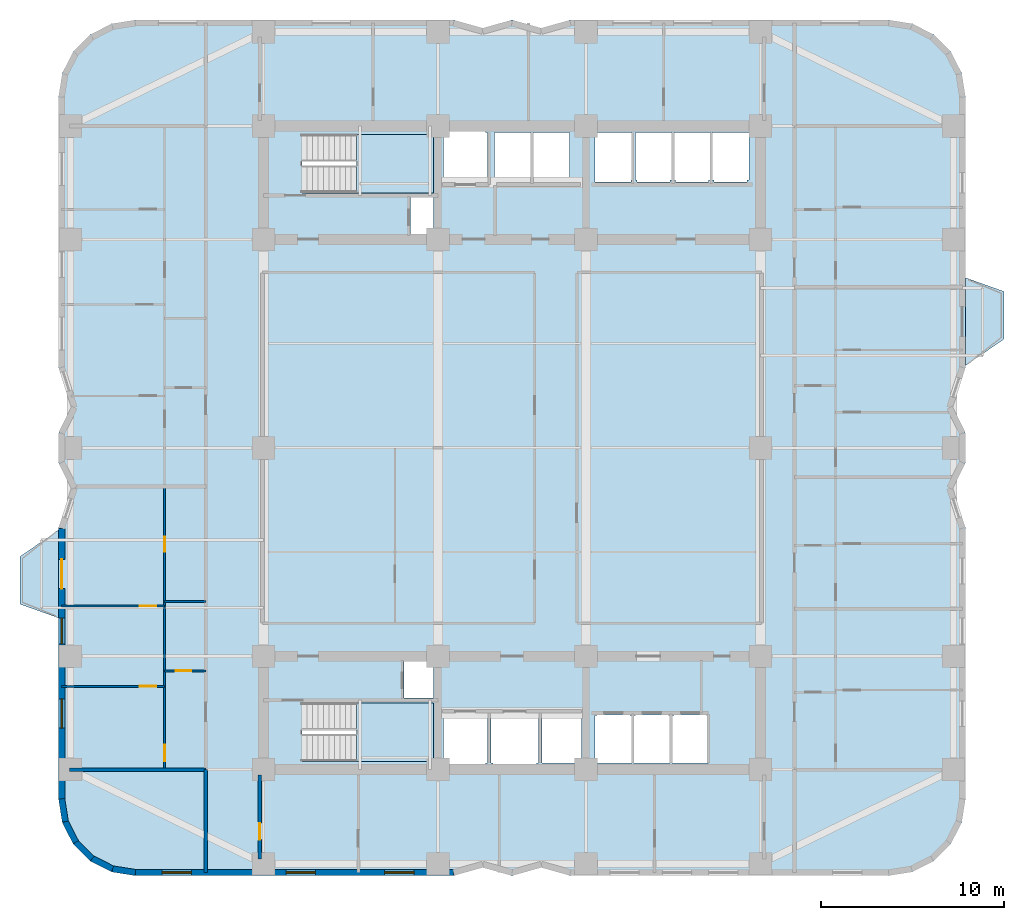
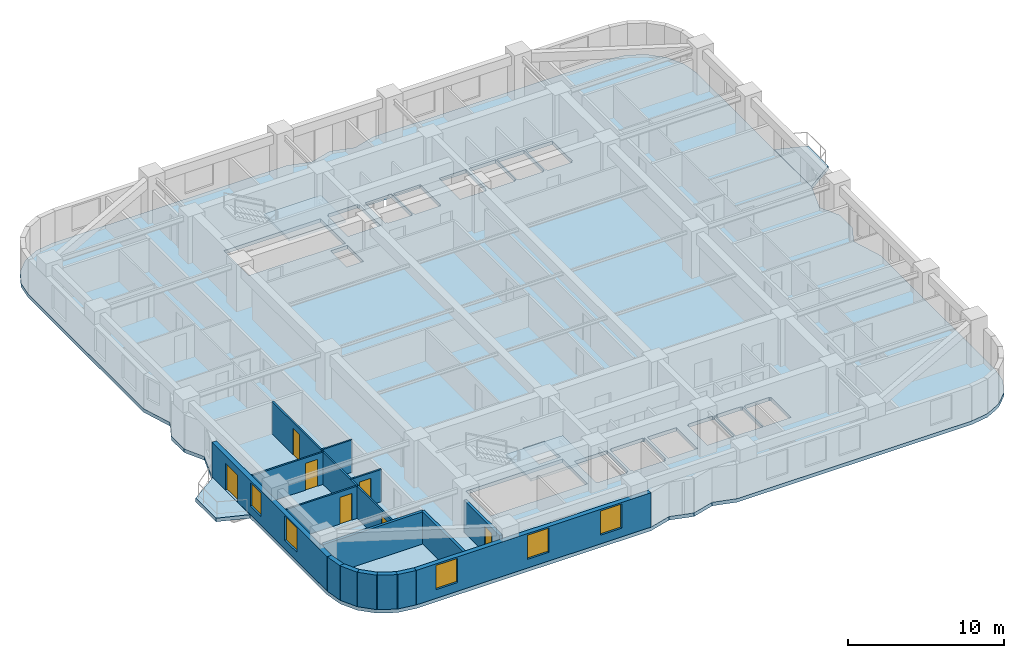
# One storey, part 2 of 9: 15 walls, 7 doors, 5 slabs, 5 windows, 12 openings, 2 elements without a shape of their own.
"""IFC4 building model written with IfcOpenShell, lengths in metres."""

from ifc_helpers import new_model, si_unit, direction, frame, frame_2d, origin, place, context, subcontext, project, spatial, polyline, rectangle, outline, extrude, material, layer, layer_set, type_object, element, fill, aggregate, save


model = new_model("IFC4")

# Units and contexts
model_context = context("Model", 3, precision=1e-05, world=origin(), true_north=direction((0.0, 1.0)))
body_context = subcontext(model_context, "Body", "Model", "MODEL_VIEW")
ifc_project = project(units=[si_unit("LENGTHUNIT", "METRE"), si_unit("AREAUNIT", "SQUARE_METRE"), si_unit("VOLUMEUNIT", "CUBIC_METRE"), si_unit("PLANEANGLEUNIT", "RADIAN"), si_unit("MASSUNIT", "GRAM", prefix="KILO")], contexts=[model_context])

# Site, building, storey
site_placement = place(None, origin())
site = spatial("IfcSite", under=ifc_project, at=site_placement, CompositionType="ELEMENT")
building_placement = place(site_placement, origin())
building = spatial("IfcBuilding", under=site, at=building_placement, Name="Svetorya Sky Lyceum", CompositionType="ELEMENT")
storey_placement = place(building_placement, frame((0.0, 0.0, 65.800048828125)))
storey = spatial("IfcBuildingStorey", under=building, at=storey_placement, Name="L16", CompositionType="ELEMENT", Elevation=65.800048828125)

# Slabs
ifc_material_1 = material(Name="Concrete C40/50", Category="concrete")
ifc_layer_1 = layer(ifc_material_1, 0.280029296875)
ifc_layer_set_1 = layer_set([ifc_layer_1], Name="Concrete C40/50")
slab_type_1 = type_object("IfcSlabType", Name="SL-BAL-280", PredefinedType="FLOOR", material=ifc_layer_set_1)
slab_1_placement = place(storey_placement, frame((0.0, 0.0, -0.280029296875)))
element("IfcSlab", 1, at=slab_1_placement, inside=storey, type_object=slab_type_1, Name="L16 Chamfered Loggia Balcony BAL-W1", PredefinedType="FLOOR", context=body_context, shape_type="SweptSolid", body=[
    extrude(outline(polyline([(14.389892578125, 18.89990234375), (14.389892578125, 23.699951171875), (12.2900390625, 22.25), (12.2900390625, 19.64990234375), (14.389892578125, 18.89990234375)])), origin(), (0.0, 0.0, 1.0), 0.280029296875),
])
slab_2_placement = place(storey_placement, frame((0.0, 0.0, -0.280029296875)))
element("IfcSlab", 2, at=slab_2_placement, inside=storey, type_object=slab_type_1, Name="L16 Chamfered Loggia Balcony BAL-E1", PredefinedType="FLOOR", context=body_context, shape_type="SweptSolid", body=[
    extrude(outline(polyline([(64.010009765625, 32.699951171875), (66.110107421875, 34.14990234375), (66.110107421875, 36.75), (64.010009765625, 37.5), (64.010009765625, 32.699951171875)])), origin(), (0.0, 0.0, 1.0), 0.280029296875),
])

# Stair, slab
stair_type_1 = type_object("IfcStairType", Name="STR-ST-S", PredefinedType="HALF_TURN_STAIR", material=ifc_material_1)
stair_1_placement = place(storey_placement, origin())
stair_1 = element("IfcStair", 3, at=stair_1_placement, inside=storey, type_object=stair_type_1, Name="L16 South Core Smoke-Free Exit Stair N2", PredefinedType="HALF_TURN_STAIR")
ifc_layer_2 = layer(ifc_material_1, 0.199951171875)
ifc_layer_set_2 = layer_set([ifc_layer_2], Name="Concrete C40/50")
slab_type_2 = type_object("IfcSlabType", Name="SL-STR-LAND-200", PredefinedType="LANDING", material=ifc_layer_set_2)
slab_3_placement = place(storey_placement, frame((0.0, 0.0, 1.64990234375)))
slab_3 = element("IfcSlab", 4, at=slab_3_placement, type_object=slab_type_2, Name="ST-S landing 1", PredefinedType="LANDING", context=body_context, shape_type="SweptSolid", body=[
    extrude(outline(polyline([(30.699951171875, 11.050048828125), (34.89990234375, 11.050048828125), (34.89990234375, 14.25), (30.699951171875, 14.25), (30.699951171875, 11.050048828125)])), origin(), (0.0, 0.0, 1.0), 0.199951171875),
])
aggregate(stair_1, [slab_3])

stair_type_2 = type_object("IfcStairType", Name="STR-ST-N", PredefinedType="HALF_TURN_STAIR", material=ifc_material_1)
stair_2_placement = place(storey_placement, origin())
stair_2 = element("IfcStair", 5, at=stair_2_placement, inside=storey, type_object=stair_type_2, Name="L16 North Core Smoke-Free Exit Stair N3", PredefinedType="HALF_TURN_STAIR")
slab_4_placement = place(storey_placement, frame((0.0, 0.0, 1.64990234375)))
slab_4 = element("IfcSlab", 6, at=slab_4_placement, type_object=slab_type_2, Name="ST-N landing 1", PredefinedType="LANDING", context=body_context, shape_type="SweptSolid", body=[
    extrude(outline(polyline([(30.699951171875, 42.14990234375), (34.89990234375, 42.14990234375), (34.89990234375, 45.35009765625), (30.699951171875, 45.35009765625), (30.699951171875, 42.14990234375)])), origin(), (0.0, 0.0, 1.0), 0.199951171875),
])
aggregate(stair_2, [slab_4])

# Slab
ifc_material_2 = material(Name="Concrete C50/60", Category="concrete")
ifc_layer_3 = layer(ifc_material_2, 0.280029296875)
ifc_layer_set_3 = layer_set([ifc_layer_3], Name="Concrete C50/60")
slab_type_3 = type_object("IfcSlabType", Name="SL-TWR-280", PredefinedType="FLOOR", material=ifc_layer_set_3)
slab_5_placement = place(storey_placement, frame((0.0, 0.0, -0.280029296875)))
element("IfcSlab", 7, at=slab_5_placement, inside=storey, type_object=slab_type_3, Name="L16 Structural Floor Slab", PredefinedType="FLOOR", context=body_context, shape_type="SweptSolid", body=[
    extrude(outline(polyline([(14.39990234375, 9.0), (14.605712890625, 7.7021484375), (15.2021484375, 6.53125), (16.13134765625, 5.60205078125), (17.302001953125, 5.005615234375), (18.60009765625, 4.800048828125), (36.0, 4.800048828125), (37.60009765625, 5.25), (39.199951171875, 4.800048828125), (40.800048828125, 5.25), (42.39990234375, 4.800048828125), (59.800048828125, 4.800048828125), (61.097900390625, 5.005615234375), (62.268798828125, 5.60205078125), (63.197998046875, 6.53125), (63.79443359375, 7.7021484375), (64.0, 9.0), (64.0, 23.800048828125), (63.300048828125, 26.0), (64.0, 27.39990234375), (64.0, 29.0), (63.300048828125, 30.39990234375), (64.0, 32.60009765625), (64.0, 47.39990234375), (63.79443359375, 48.697998046875), (63.197998046875, 49.86865234375), (62.268798828125, 50.7978515625), (61.097900390625, 51.394287109375), (59.800048828125, 51.60009765625), (42.39990234375, 51.60009765625), (40.800048828125, 51.14990234375), (39.199951171875, 51.60009765625), (37.60009765625, 51.14990234375), (36.0, 51.60009765625), (18.60009765625, 51.60009765625), (17.302001953125, 51.394287109375), (16.13134765625, 50.7978515625), (15.2021484375, 49.86865234375), (14.605712890625, 48.697998046875), (14.39990234375, 47.39990234375), (14.39990234375, 32.60009765625), (15.10009765625, 30.39990234375), (14.39990234375, 29.0), (14.39990234375, 27.39990234375), (15.10009765625, 26.0), (14.39990234375, 23.800048828125), (14.39990234375, 9.0)]), holes=[polyline([(35.550048828125, 13.64990234375), (37.75, 13.64990234375), (37.85009765625, 13.64990234375), (37.85009765625, 10.949951171875), (37.75, 10.949951171875), (37.75, 10.85009765625), (35.550048828125, 10.85009765625), (35.550048828125, 10.949951171875), (35.449951171875, 10.949951171875), (35.449951171875, 13.64990234375), (35.550048828125, 13.64990234375)]), polyline([(40.64990234375, 10.949951171875), (40.550048828125, 10.949951171875), (40.550048828125, 10.800048828125), (38.14990234375, 10.800048828125), (38.14990234375, 10.949951171875), (38.050048828125, 10.949951171875), (38.050048828125, 13.64990234375), (38.14990234375, 13.64990234375), (38.14990234375, 13.699951171875), (40.550048828125, 13.699951171875), (40.550048828125, 13.64990234375), (40.64990234375, 13.64990234375), (40.64990234375, 10.949951171875)]), polyline([(40.85009765625, 13.64990234375), (43.0, 13.64990234375), (43.0, 10.949951171875), (40.85009765625, 10.949951171875), (40.85009765625, 13.64990234375)]), polyline([(27.719970703125, 14.25), (34.89990234375, 14.25), (34.89990234375, 11.050048828125), (27.719970703125, 11.050048828125), (27.719970703125, 14.25)]), polyline([(33.300048828125, 16.580078125), (34.89990234375, 16.580078125), (34.89990234375, 14.52001953125), (33.300048828125, 14.52001953125), (33.300048828125, 16.580078125)]), polyline([(33.64990234375, 39.820068359375), (33.64990234375, 41.89990234375), (34.89990234375, 41.89990234375), (34.89990234375, 39.820068359375), (33.64990234375, 39.820068359375)]), polyline([(27.719970703125, 45.35009765625), (34.89990234375, 45.35009765625), (34.89990234375, 42.14990234375), (27.719970703125, 42.14990234375), (27.719970703125, 45.35009765625)]), polyline([(35.550048828125, 42.75), (35.449951171875, 42.75), (35.449951171875, 45.449951171875), (35.550048828125, 45.449951171875), (35.550048828125, 45.550048828125), (37.75, 45.550048828125), (37.75, 45.449951171875), (37.85009765625, 45.449951171875), (37.85009765625, 42.75), (37.75, 42.75), (35.550048828125, 42.75)]), polyline([(40.199951171875, 42.85009765625), (40.199951171875, 42.75), (38.39990234375, 42.75), (38.39990234375, 42.85009765625), (38.25, 42.85009765625), (38.25, 45.449951171875), (38.39990234375, 45.449951171875), (40.199951171875, 45.449951171875), (40.25, 45.449951171875), (40.25, 42.85009765625), (40.199951171875, 42.85009765625)]), polyline([(40.39990234375, 42.85009765625), (40.35009765625, 42.85009765625), (40.35009765625, 45.449951171875), (40.39990234375, 45.449951171875), (42.300048828125, 45.449951171875), (42.35009765625, 45.449951171875), (42.35009765625, 42.85009765625), (42.300048828125, 42.85009765625), (42.300048828125, 42.75), (40.39990234375, 42.75), (40.39990234375, 42.85009765625)]), polyline([(43.85009765625, 10.949951171875), (43.75, 10.949951171875), (43.75, 13.550048828125), (43.85009765625, 13.550048828125), (43.85009765625, 13.60009765625), (45.64990234375, 13.60009765625), (45.64990234375, 13.550048828125), (45.75, 13.550048828125), (45.75, 10.949951171875), (45.64990234375, 10.949951171875), (43.85009765625, 10.949951171875)]), polyline([(45.949951171875, 10.949951171875), (45.85009765625, 10.949951171875), (45.85009765625, 13.550048828125), (45.949951171875, 13.550048828125), (45.949951171875, 13.60009765625), (47.75, 13.60009765625), (47.75, 13.550048828125), (47.85009765625, 13.550048828125), (47.85009765625, 10.949951171875), (47.75, 10.949951171875), (45.949951171875, 10.949951171875)]), polyline([(49.85009765625, 13.550048828125), (49.949951171875, 13.550048828125), (49.949951171875, 10.949951171875), (49.85009765625, 10.949951171875), (48.050048828125, 10.949951171875), (47.949951171875, 10.949951171875), (47.949951171875, 13.550048828125), (48.050048828125, 13.550048828125), (48.050048828125, 13.60009765625), (49.85009765625, 13.60009765625), (49.85009765625, 13.550048828125)]), polyline([(43.75, 42.85009765625), (43.75, 45.449951171875), (45.699951171875, 45.449951171875), (45.75, 45.449951171875), (45.75, 42.85009765625), (45.699951171875, 42.85009765625), (45.699951171875, 42.75), (43.75, 42.75), (43.75, 42.85009765625)]), polyline([(46.050048828125, 42.85009765625), (45.949951171875, 42.85009765625), (45.949951171875, 45.449951171875), (46.050048828125, 45.449951171875), (47.85009765625, 45.449951171875), (47.949951171875, 45.449951171875), (47.949951171875, 42.85009765625), (47.85009765625, 42.85009765625), (47.85009765625, 42.75), (46.050048828125, 42.75), (46.050048828125, 42.85009765625)]), polyline([(48.14990234375, 42.85009765625), (48.050048828125, 42.85009765625), (48.050048828125, 45.449951171875), (48.14990234375, 45.449951171875), (49.949951171875, 45.449951171875), (50.050048828125, 45.449951171875), (50.050048828125, 42.85009765625), (49.949951171875, 42.85009765625), (49.949951171875, 42.75), (48.14990234375, 42.75), (48.14990234375, 42.85009765625)]), polyline([(50.25, 42.85009765625), (50.14990234375, 42.85009765625), (50.14990234375, 45.449951171875), (50.25, 45.449951171875), (52.050048828125, 45.449951171875), (52.14990234375, 45.449951171875), (52.14990234375, 42.85009765625), (52.050048828125, 42.85009765625), (52.050048828125, 42.75), (50.25, 42.75), (50.25, 42.85009765625)])]), origin(), (0.0, 0.0, 1.0), 0.280029296875),
])

# Walls
ifc_material_3 = material(Name="Putilovo limestone rainscreen on autoclaved cellular masonry", Category="masonry")
ifc_layer_4 = layer(ifc_material_3, 0.340087890625)
ifc_layer_set_4 = layer_set([ifc_layer_4], Name="Putilovo limestone rainscreen on autoclaved cellular masonry")
wall_type_1 = type_object("IfcWallType", Name="WL-EXT-340", PredefinedType="SOLIDWALL", material=ifc_layer_set_4)
wall_1_placement = place(storey_placement, frame((14.570068359375, 9.0, 0.0), z_axis=(0.0, 0.0, 1.0), x_axis=(0.156260864002, -0.98771582066, 0.0)))
element("IfcWall", 8, at=wall_1_placement, inside=storey, type_object=wall_type_1, Name="L16 Limestone Exterior Wall 1M", PredefinedType="SOLIDWALL", context=body_context, shape_type="SweptSolid", body=[
    extrude(rectangle(XDim=1.2607421875, YDim=0.340087890625, at=frame_2d((0.63037109375, 0.0))), origin(), (0.0, 0.0, 1.0), 2.699951171875),
])
wall_2_placement = place(storey_placement, frame((14.76708984375, 7.754638671875, 0.0), z_axis=(0.0, 0.0, 1.0), x_axis=(0.454015689056, -0.890993689142, 0.0)))
element("IfcWall", 9, at=wall_2_placement, inside=storey, type_object=wall_type_1, Name="L16 Limestone Exterior Wall 2M", PredefinedType="SOLIDWALL", context=body_context, shape_type="SweptSolid", body=[
    extrude(rectangle(XDim=1.260986328125, YDim=0.340087890625, at=frame_2d((0.63037109375, 0.0))), origin(), (0.0, 0.0, 1.0), 2.699951171875),
])
wall_3_placement = place(storey_placement, frame((15.339599609375, 6.631103515625, 0.0), z_axis=(0.0, 0.0, 1.0), x_axis=(0.707203598708, -0.707009950407, 0.0)))
element("IfcWall", 10, at=wall_3_placement, inside=storey, type_object=wall_type_1, Name="L16 Limestone Exterior Wall 3M", PredefinedType="SOLIDWALL", context=body_context, shape_type="SweptSolid", body=[
    extrude(rectangle(XDim=1.2607421875, YDim=0.340087890625, at=frame_2d((0.63037109375, 0.0))), origin(), (0.0, 0.0, 1.0), 2.699951171875),
])
for number, where, z_axis, x_axis, name in (
    (11, (16.231201171875, 5.73974609375, 0.0), (0.0, 0.0, 1.0), (0.890993689142, -0.454015689056, 0.0), "L16 Limestone Exterior Wall 4M"),
    (12, (17.354736328125, 5.167236328125, 0.0), (0.0, 0.0, 1.0), (0.987685918112, -0.15644975923, 0.0), "L16 Limestone Exterior Wall 5M"),
):
    element("IfcWall", number, at=place(storey_placement, frame(where, z_axis=z_axis, x_axis=x_axis)), inside=storey, type_object=wall_type_1, Name=name, PredefinedType="SOLIDWALL", context=body_context, shape_type="SweptSolid", body=[
        extrude(rectangle(XDim=1.260986328125, YDim=0.340087890625, at=frame_2d((0.63037109375, 0.0))), origin(), (0.0, 0.0, 1.0), 2.699951171875),
    ])

# Wall, openings, windows
wall_4_placement = place(storey_placement, frame((18.60009765625, 4.969970703125, 0.0), z_axis=(0.0, 0.0, 1.0), x_axis=(1.0, 0.0, 0.0)))
wall_4 = element("IfcWall", 13, at=wall_4_placement, inside=storey, type_object=wall_type_1, Name="L16 Limestone Exterior Wall 6M", PredefinedType="SOLIDWALL", context=body_context, shape_type="SweptSolid", body=[
    extrude(rectangle(XDim=17.39990234375, YDim=0.340087890625, at=frame_2d((8.699951171875, 0.0))), origin(), (0.0, 0.0, 1.0), 2.699951171875),
])
opening_1_placement = place(wall_4_placement, frame((1.4599609375, 0.0, 0.679931640625)))
opening_1 = element("IfcOpeningElement", 14, at=opening_1_placement, cuts=wall_4, Name="Opening W-R4", PredefinedType="OPENING", context=body_context, shape_type="SweptSolid", body=[
    extrude(rectangle(XDim=1.60009765625, YDim=1.89990234375, at=frame_2d((0.800048828125, 0.949951171875))), frame((0.0, 0.179931640625, 0.0), z_axis=(0.0, -1.0, 0.0), x_axis=(1.0, 0.0, 0.0)), (0.0, 0.0, 1.0), 0.360107421875),
])
opening_2_placement = place(wall_4_placement, frame((8.25, 0.0, 0.679931640625)))
opening_2 = element("IfcOpeningElement", 15, at=opening_2_placement, cuts=wall_4, Name="Opening W-R4", PredefinedType="OPENING", context=body_context, shape_type="SweptSolid", body=[
    extrude(rectangle(XDim=1.60009765625, YDim=1.89990234375, at=frame_2d((0.800048828125, 0.949951171875))), frame((0.0, 0.179931640625, 0.0), z_axis=(0.0, -1.0, 0.0), x_axis=(1.0, 0.0, 0.0)), (0.0, 0.0, 1.0), 0.360107421875),
])
opening_3_placement = place(wall_4_placement, frame((13.639892578125, 0.0, 0.679931640625)))
opening_3 = element("IfcOpeningElement", 16, at=opening_3_placement, cuts=wall_4, Name="Opening W-R4", PredefinedType="OPENING", context=body_context, shape_type="SweptSolid", body=[
    extrude(rectangle(XDim=1.60009765625, YDim=1.89990234375, at=frame_2d((0.800048828125, 0.949951171875))), frame((0.0, 0.179931640625, 0.0), z_axis=(0.0, -1.0, 0.0), x_axis=(1.0, 0.0, 0.0)), (0.0, 0.0, 1.0), 0.360107421875),
])
ifc_material_4 = material(Name="Thermally broken aluminium frame with triple low-E glazing", Category="aluminium")
window_type_1 = type_object("IfcWindowType", Name="WN-RES-160", PartitioningType="DOUBLE_PANEL_VERTICAL", PredefinedType="WINDOW", material=ifc_material_4)
window_1_placement = place(opening_1_placement, origin())
window_1 = element("IfcWindow", 17, at=window_1_placement, inside=storey, type_object=window_type_1, Name="L16 Facade Window W-R4.6M.1", OverallHeight=1.89990234375, OverallWidth=1.60009765625, PartitioningType="SINGLE_PANEL", PredefinedType="WINDOW", context=body_context, shape_type="SweptSolid", body=[
    extrude(rectangle(XDim=1.60009765625, YDim=1.89990234375, at=frame_2d((0.800048828125, 0.949951171875))), frame((0.0, 0.030029296875, 0.0), z_axis=(0.0, -1.0, 0.0), x_axis=(1.0, 0.0, 0.0)), (0.0, 0.0, 1.0), 0.06005859375),
])
fill(opening_1, window_1)
window_2_placement = place(opening_2_placement, origin())
window_2 = element("IfcWindow", 18, at=window_2_placement, inside=storey, type_object=window_type_1, Name="L16 Facade Window W-R4.6M.2", OverallHeight=1.89990234375, OverallWidth=1.60009765625, PartitioningType="SINGLE_PANEL", PredefinedType="WINDOW", context=body_context, shape_type="SweptSolid", body=[
    extrude(rectangle(XDim=1.60009765625, YDim=1.89990234375, at=frame_2d((0.800048828125, 0.949951171875))), frame((0.0, 0.030029296875, 0.0), z_axis=(0.0, -1.0, 0.0), x_axis=(1.0, 0.0, 0.0)), (0.0, 0.0, 1.0), 0.06005859375),
])
fill(opening_2, window_2)
window_3_placement = place(opening_3_placement, origin())
window_3 = element("IfcWindow", 19, at=window_3_placement, inside=storey, type_object=window_type_1, Name="L16 Facade Window W-R4.6M.3", OverallHeight=1.89990234375, OverallWidth=1.60009765625, PartitioningType="SINGLE_PANEL", PredefinedType="WINDOW", context=body_context, shape_type="SweptSolid", body=[
    extrude(rectangle(XDim=1.60009765625, YDim=1.89990234375, at=frame_2d((0.800048828125, 0.949951171875))), frame((0.0, 0.030029296875, 0.0), z_axis=(0.0, -1.0, 0.0), x_axis=(1.0, 0.0, 0.0)), (0.0, 0.0, 1.0), 0.06005859375),
])
fill(opening_3, window_3)

# Wall, openings, door, windows
wall_5_placement = place(storey_placement, frame((14.570068359375, 23.800048828125, 0.0), z_axis=(0.0, 0.0, 1.0), x_axis=(0.0, -1.0, 0.0)))
wall_5 = element("IfcWall", 20, at=wall_5_placement, inside=storey, type_object=wall_type_1, Name="L16 Limestone Exterior Wall 46M", PredefinedType="SOLIDWALL", context=body_context, shape_type="SweptSolid", body=[
    extrude(rectangle(XDim=14.800048828125, YDim=0.340087890625, at=frame_2d((7.39990234375, 0.0))), origin(), (0.0, 0.0, 1.0), 2.699951171875),
])
opening_4_placement = place(wall_5_placement, frame((1.699951171875, 0.0, 0.0)))
opening_4 = element("IfcOpeningElement", 21, at=opening_4_placement, cuts=wall_5, Name="Opening D-BL1", PredefinedType="OPENING", context=body_context, shape_type="SweptSolid", body=[
    extrude(rectangle(XDim=1.60009765625, YDim=2.10009765625, at=frame_2d((0.800048828125, 1.050048828125))), frame((0.0, 0.179931640625, 0.0), z_axis=(0.0, -1.0, 0.0), x_axis=(1.0, 0.0, 0.0)), (0.0, 0.0, 1.0), 0.360107421875),
])
opening_5_placement = place(wall_5_placement, frame((4.919921875, 0.0, 0.68994140625)))
opening_5 = element("IfcOpeningElement", 22, at=opening_5_placement, cuts=wall_5, Name="Opening W-R2", PredefinedType="OPENING", context=body_context, shape_type="SweptSolid", body=[
    extrude(rectangle(XDim=1.39990234375, YDim=1.85009765625, at=frame_2d((0.699951171875, 0.925048828125))), frame((0.0, 0.179931640625, 0.0), z_axis=(0.0, -1.0, 0.0), x_axis=(1.0, 0.0, 0.0)), (0.0, 0.0, 1.0), 0.360107421875),
])
opening_6_placement = place(wall_5_placement, frame((9.33740234375, 0.0, 0.679931640625)))
opening_6 = element("IfcOpeningElement", 23, at=opening_6_placement, cuts=wall_5, Name="Opening W-R4", PredefinedType="OPENING", context=body_context, shape_type="SweptSolid", body=[
    extrude(rectangle(XDim=1.60009765625, YDim=1.89990234375, at=frame_2d((0.800048828125, 0.949951171875))), frame((0.0, 0.179931640625, 0.0), z_axis=(0.0, -1.0, 0.0), x_axis=(1.0, 0.0, 0.0)), (0.0, 0.0, 1.0), 0.360107421875),
])
ifc_material_5 = material(Name="Insulated glazed aluminium balcony door", Category="aluminium")
door_type_1 = type_object("IfcDoorType", Name="DR-BAL-1600", OperationType="DOUBLE_DOOR_SINGLE_SWING", PredefinedType="DOOR", material=ifc_material_5)
door_1_placement = place(opening_4_placement, origin())
door_1 = element("IfcDoor", 24, at=door_1_placement, inside=storey, type_object=door_type_1, Name="L16 Balcony BAL-W1 Door", OperationType="DOUBLE_DOOR_SINGLE_SWING", OverallHeight=2.10009765625, OverallWidth=1.60009765625, PredefinedType="DOOR", context=body_context, shape_type="SweptSolid", body=[
    extrude(rectangle(XDim=1.60009765625, YDim=2.10009765625, at=frame_2d((0.800048828125, 1.050048828125))), frame((0.0, 0.02490234375, 0.0), z_axis=(0.0, -1.0, 0.0), x_axis=(1.0, 0.0, 0.0)), (0.0, 0.0, 1.0), 0.050048828125),
])
fill(opening_4, door_1)
window_type_2 = type_object("IfcWindowType", Name="WN-RES-140", PartitioningType="SINGLE_PANEL", PredefinedType="WINDOW", material=ifc_material_4)
window_4_placement = place(opening_5_placement, origin())
window_4 = element("IfcWindow", 25, at=window_4_placement, inside=storey, type_object=window_type_2, Name="L16 Facade Window W-R2.46M.2", OverallHeight=1.85009765625, OverallWidth=1.39990234375, PartitioningType="SINGLE_PANEL", PredefinedType="WINDOW", context=body_context, shape_type="SweptSolid", body=[
    extrude(rectangle(XDim=1.39990234375, YDim=1.85009765625, at=frame_2d((0.699951171875, 0.925048828125))), frame((0.0, 0.030029296875, 0.0), z_axis=(0.0, -1.0, 0.0), x_axis=(1.0, 0.0, 0.0)), (0.0, 0.0, 1.0), 0.06005859375),
])
fill(opening_5, window_4)
window_5_placement = place(opening_6_placement, origin())
window_5 = element("IfcWindow", 26, at=window_5_placement, inside=storey, type_object=window_type_1, Name="L16 Facade Window W-R4.46M.1", OverallHeight=1.89990234375, OverallWidth=1.60009765625, PartitioningType="SINGLE_PANEL", PredefinedType="WINDOW", context=body_context, shape_type="SweptSolid", body=[
    extrude(rectangle(XDim=1.60009765625, YDim=1.89990234375, at=frame_2d((0.800048828125, 0.949951171875))), frame((0.0, 0.030029296875, 0.0), z_axis=(0.0, -1.0, 0.0), x_axis=(1.0, 0.0, 0.0)), (0.0, 0.0, 1.0), 0.06005859375),
])
fill(opening_6, window_5)

# Wall, opening, door
ifc_material_6 = material(Name="Twin-stud galvanized framing with double fireboard", Category="gypsum")
ifc_layer_5 = layer(ifc_material_6, 0.1201171875)
ifc_layer_set_5 = layer_set([ifc_layer_5], Name="Twin-stud galvanized framing with double fireboard")
wall_type_2 = type_object("IfcWallType", Name="WL-PART-120", PredefinedType="PARTITIONING", material=ifc_layer_set_5)
wall_6_placement = place(storey_placement, frame((20.199951171875, 16.0, 0.0), z_axis=(0.0, 0.0, 1.0), x_axis=(1.0, 0.0, 0.0)))
wall_6 = element("IfcWall", 27, at=wall_6_placement, inside=storey, type_object=wall_type_2, Name="L16 Interior Partition W1-WH1", PredefinedType="PARTITIONING", context=body_context, shape_type="SweptSolid", body=[
    extrude(rectangle(XDim=2.25, YDim=0.1201171875, at=frame_2d((1.125, 0.0))), origin(), (0.0, 0.0, 1.0), 2.530029296875),
])
opening_7_placement = place(wall_6_placement, frame((0.60009765625, 0.0, 0.0)))
opening_7 = element("IfcOpeningElement", 28, at=opening_7_placement, cuts=wall_6, Name="Opening D-BT1", PredefinedType="OPENING", context=body_context, shape_type="SweptSolid", body=[
    extrude(rectangle(XDim=0.85009765625, YDim=2.10009765625, at=frame_2d((0.425048828125, 1.050048828125))), frame((0.0, 0.070068359375, 0.0), z_axis=(0.0, -1.0, 0.0), x_axis=(1.0, 0.0, 0.0)), (0.0, 0.0, 1.0), 0.14013671875),
])
ifc_material_7 = material(Name="Moisture-resistant laminate bathroom door")
door_type_2 = type_object("IfcDoorType", Name="DR-WET-850", OperationType="SINGLE_SWING_LEFT", PredefinedType="DOOR", material=ifc_material_7)
door_2_placement = place(opening_7_placement, origin())
door_2 = element("IfcDoor", 29, at=door_2_placement, inside=storey, type_object=door_type_2, Name="Apartment W1 Bathroom Door", OperationType="SINGLE_SWING_LEFT", OverallHeight=2.10009765625, OverallWidth=0.85009765625, PredefinedType="DOOR", context=body_context, shape_type="SweptSolid", body=[
    extrude(rectangle(XDim=0.85009765625, YDim=2.10009765625, at=frame_2d((0.425048828125, 1.050048828125))), frame((0.0, 0.02490234375, 0.0), z_axis=(0.0, -1.0, 0.0), x_axis=(1.0, 0.0, 0.0)), (0.0, 0.0, 1.0), 0.050048828125),
])
fill(opening_7, door_2)

# Wall
wall_7_placement = place(storey_placement, frame((20.199951171875, 19.800048828125, 0.0), z_axis=(0.0, 0.0, 1.0), x_axis=(1.0, 0.0, 0.0)))
element("IfcWall", 30, at=wall_7_placement, inside=storey, type_object=wall_type_2, Name="L16 Interior Partition W1-WH2", PredefinedType="PARTITIONING", context=body_context, shape_type="SweptSolid", body=[
    extrude(rectangle(XDim=2.25, YDim=0.1201171875, at=frame_2d((1.125, 0.0))), origin(), (0.0, 0.0, 1.0), 2.530029296875),
])

# Wall, opening, door
wall_8_placement = place(storey_placement, frame((14.570068359375, 15.14990234375, 0.0), z_axis=(0.0, 0.0, 1.0), x_axis=(1.0, 0.0, 0.0)))
wall_8 = element("IfcWall", 31, at=wall_8_placement, inside=storey, type_object=wall_type_2, Name="L16 Interior Partition W1-WL1", PredefinedType="PARTITIONING", context=body_context, shape_type="SweptSolid", body=[
    extrude(rectangle(XDim=5.6298828125, YDim=0.1201171875, at=frame_2d((2.81494140625, 0.0))), origin(), (0.0, 0.0, 1.0), 2.530029296875),
])
opening_8_placement = place(wall_8_placement, frame((4.280029296875, 0.0, 0.0)))
opening_8 = element("IfcOpeningElement", 32, at=opening_8_placement, cuts=wall_8, Name="Opening D-RM1", PredefinedType="OPENING", context=body_context, shape_type="SweptSolid", body=[
    extrude(rectangle(XDim=0.89990234375, YDim=2.10009765625, at=frame_2d((0.449951171875, 1.050048828125))), frame((0.0, 0.070068359375, 0.0), z_axis=(0.0, -1.0, 0.0), x_axis=(1.0, 0.0, 0.0)), (0.0, 0.0, 1.0), 0.14013671875),
])
ifc_material_8 = material(Name="Lacquered birch veneer internal door")
door_type_3 = type_object("IfcDoorType", Name="DR-INT-900", OperationType="SINGLE_SWING_LEFT", PredefinedType="DOOR", material=ifc_material_8)
door_3_placement = place(opening_8_placement, origin())
door_3 = element("IfcDoor", 33, at=door_3_placement, inside=storey, type_object=door_type_3, Name="Apartment W1 Master Bedroom Door", OperationType="SINGLE_SWING_LEFT", OverallHeight=2.10009765625, OverallWidth=0.89990234375, PredefinedType="DOOR", context=body_context, shape_type="SweptSolid", body=[
    extrude(rectangle(XDim=0.89990234375, YDim=2.10009765625, at=frame_2d((0.449951171875, 1.050048828125))), frame((0.0, 0.02490234375, 0.0), z_axis=(0.0, -1.0, 0.0), x_axis=(1.0, 0.0, 0.0)), (0.0, 0.0, 1.0), 0.050048828125),
])
fill(opening_8, door_3)

wall_9_placement = place(storey_placement, frame((14.570068359375, 19.550048828125, 0.0), z_axis=(0.0, 0.0, 1.0), x_axis=(1.0, 0.0, 0.0)))
wall_9 = element("IfcWall", 34, at=wall_9_placement, inside=storey, type_object=wall_type_2, Name="L16 Interior Partition W1-WL2", PredefinedType="PARTITIONING", context=body_context, shape_type="SweptSolid", body=[
    extrude(rectangle(XDim=5.6298828125, YDim=0.1201171875, at=frame_2d((2.81494140625, 0.0))), origin(), (0.0, 0.0, 1.0), 2.530029296875),
])
opening_9_placement = place(wall_9_placement, frame((4.280029296875, 0.0, 0.0)))
opening_9 = element("IfcOpeningElement", 35, at=opening_9_placement, cuts=wall_9, Name="Opening D-RM1", PredefinedType="OPENING", context=body_context, shape_type="SweptSolid", body=[
    extrude(rectangle(XDim=0.89990234375, YDim=2.10009765625, at=frame_2d((0.449951171875, 1.050048828125))), frame((0.0, 0.070068359375, 0.0), z_axis=(0.0, -1.0, 0.0), x_axis=(1.0, 0.0, 0.0)), (0.0, 0.0, 1.0), 0.14013671875),
])
door_4_placement = place(opening_9_placement, origin())
door_4 = element("IfcDoor", 36, at=door_4_placement, inside=storey, type_object=door_type_3, Name="Apartment W1 Bedroom 2 Door", OperationType="SINGLE_SWING_RIGHT", OverallHeight=2.10009765625, OverallWidth=0.89990234375, PredefinedType="DOOR", context=body_context, shape_type="SweptSolid", body=[
    extrude(rectangle(XDim=0.89990234375, YDim=2.10009765625, at=frame_2d((0.449951171875, 1.050048828125))), frame((0.0, 0.02490234375, 0.0), z_axis=(0.0, -1.0, 0.0), x_axis=(1.0, 0.0, 0.0)), (0.0, 0.0, 1.0), 0.050048828125),
])
fill(opening_9, door_4)

# Wall, openings, doors
wall_10_placement = place(storey_placement, frame((20.199951171875, 10.639892578125, 0.0), z_axis=(0.0, 0.0, 1.0), x_axis=(0.0, 1.0, 0.0)))
wall_10 = element("IfcWall", 37, at=wall_10_placement, inside=storey, type_object=wall_type_2, Name="L16 Interior Partition W1-WV", PredefinedType="PARTITIONING", context=body_context, shape_type="SweptSolid", body=[
    extrude(rectangle(XDim=15.408203125, YDim=0.1201171875, at=frame_2d((7.7041015625, 0.0))), origin(), (0.0, 0.0, 1.0), 2.530029296875),
])
opening_10_placement = place(wall_10_placement, frame((0.409912109375, 0.0, 0.0)))
opening_10 = element("IfcOpeningElement", 38, at=opening_10_placement, cuts=wall_10, Name="Opening D-RM1", PredefinedType="OPENING", context=body_context, shape_type="SweptSolid", body=[
    extrude(rectangle(XDim=0.89990234375, YDim=2.10009765625, at=frame_2d((0.449951171875, 1.050048828125))), frame((0.0, 0.070068359375, 0.0), z_axis=(0.0, -1.0, 0.0), x_axis=(1.0, 0.0, 0.0)), (0.0, 0.0, 1.0), 0.14013671875),
])
opening_11_placement = place(wall_10_placement, frame((11.87890625, 0.0, 0.0)))
opening_11 = element("IfcOpeningElement", 39, at=opening_11_placement, cuts=wall_10, Name="Opening D-BT2", PredefinedType="OPENING", context=body_context, shape_type="SweptSolid", body=[
    extrude(rectangle(XDim=0.820068359375, YDim=2.080078125, at=frame_2d((0.41015625, 1.0400390625))), frame((0.0, 0.070068359375, 0.0), z_axis=(0.0, -1.0, 0.0), x_axis=(1.0, 0.0, 0.0)), (0.0, 0.0, 1.0), 0.14013671875),
])
door_5_placement = place(opening_10_placement, origin())
door_5 = element("IfcDoor", 40, at=door_5_placement, inside=storey, type_object=door_type_3, Name="Apartment W1 Living Door", OperationType="SINGLE_SWING_RIGHT", OverallHeight=2.10009765625, OverallWidth=0.89990234375, PredefinedType="DOOR", context=body_context, shape_type="SweptSolid", body=[
    extrude(rectangle(XDim=0.89990234375, YDim=2.10009765625, at=frame_2d((0.449951171875, 1.050048828125))), frame((0.0, 0.02490234375, 0.0), z_axis=(0.0, -1.0, 0.0), x_axis=(1.0, 0.0, 0.0)), (0.0, 0.0, 1.0), 0.050048828125),
])
fill(opening_10, door_5)
ifc_material_9 = material(Name="Compact moisture-resistant laminate closet door")
door_type_4 = type_object("IfcDoorType", Name="DR-WET-820", OperationType="SINGLE_SWING_LEFT", PredefinedType="DOOR", material=ifc_material_9)
door_6_placement = place(opening_11_placement, origin())
door_6 = element("IfcDoor", 41, at=door_6_placement, inside=storey, type_object=door_type_4, Name="Apartment W1 Study Door", OperationType="SINGLE_SWING_LEFT", OverallHeight=2.080078125, OverallWidth=0.820068359375, PredefinedType="DOOR", context=body_context, shape_type="SweptSolid", body=[
    extrude(rectangle(XDim=0.820068359375, YDim=2.080078125, at=frame_2d((0.41015625, 1.0400390625))), frame((0.0, 0.02490234375, 0.0), z_axis=(0.0, -1.0, 0.0), x_axis=(1.0, 0.0, 0.0)), (0.0, 0.0, 1.0), 0.050048828125),
])
fill(opening_11, door_6)

# Walls
ifc_material_10 = material(Name="Autoclaved cellular masonry blockwork with gypsum plaster", Category="masonry")
ifc_layer_6 = layer(ifc_material_10, 0.199951171875)
ifc_layer_set_6 = layer_set([ifc_layer_6], Name="Autoclaved cellular masonry blockwork with gypsum plaster")
wall_type_3 = type_object("IfcWallType", Name="WL-PART-200", PredefinedType="PARTITIONING", material=ifc_layer_set_6)
wall_11_placement = place(storey_placement, frame((14.989990234375, 10.60009765625, 0.0), z_axis=(0.0, 0.0, 1.0), x_axis=(1.0, 0.0, 0.0)))
element("IfcWall", 42, at=wall_11_placement, inside=storey, type_object=wall_type_3, Name="L16 Interior Partition W-CAP-S", PredefinedType="PARTITIONING", context=body_context, shape_type="SweptSolid", body=[
    extrude(rectangle(XDim=7.4599609375, YDim=0.199951171875, at=frame_2d((3.72998046875, 0.0))), origin(), (0.0, 0.0, 1.0), 2.530029296875),
])
wall_12_placement = place(storey_placement, frame((22.449951171875, 4.969970703125, 0.0), z_axis=(0.0, 0.0, 1.0), x_axis=(0.0, 1.0, 0.0)))
element("IfcWall", 43, at=wall_12_placement, inside=storey, type_object=wall_type_3, Name="L16 Interior Partition WC-SW-END", PredefinedType="PARTITIONING", context=body_context, shape_type="SweptSolid", body=[
    extrude(rectangle(XDim=5.630126953125, YDim=0.199951171875, at=frame_2d((2.81494140625, 0.0))), origin(), (0.0, 0.0, 1.0), 2.530029296875),
])

# Wall, opening, door
wall_13_placement = place(storey_placement, frame((25.39990234375, 5.719970703125, 0.0), z_axis=(0.0, 0.0, 1.0), x_axis=(0.0, 1.0, 0.0)))
wall_13 = element("IfcWall", 44, at=wall_13_placement, inside=storey, type_object=wall_type_3, Name="L16 Interior Partition S4-EW", PredefinedType="PARTITIONING", context=body_context, shape_type="SweptSolid", body=[
    extrude(rectangle(XDim=4.580078125, YDim=0.199951171875, at=frame_2d((2.2900390625, 0.0))), origin(), (0.0, 0.0, 1.0), 2.530029296875),
])
opening_12_placement = place(wall_13_placement, frame((1.050048828125, 0.0, 0.0)))
opening_12 = element("IfcOpeningElement", 45, at=opening_12_placement, cuts=wall_13, Name="Opening D-RM1", PredefinedType="OPENING", context=body_context, shape_type="SweptSolid", body=[
    extrude(rectangle(XDim=0.89990234375, YDim=2.10009765625, at=frame_2d((0.449951171875, 1.050048828125))), frame((0.0, 0.10986328125, 0.0), z_axis=(0.0, -1.0, 0.0), x_axis=(1.0, 0.0, 0.0)), (0.0, 0.0, 1.0), 0.219970703125),
])
door_7_placement = place(opening_12_placement, origin())
door_7 = element("IfcDoor", 46, at=door_7_placement, inside=storey, type_object=door_type_3, Name="L16 SW Office Door", OperationType="SINGLE_SWING_LEFT", OverallHeight=2.10009765625, OverallWidth=0.89990234375, PredefinedType="DOOR", context=body_context, shape_type="SweptSolid", body=[
    extrude(rectangle(XDim=0.89990234375, YDim=2.10009765625, at=frame_2d((0.449951171875, 1.050048828125))), frame((0.0, 0.02490234375, 0.0), z_axis=(0.0, -1.0, 0.0), x_axis=(1.0, 0.0, 0.0)), (0.0, 0.0, 1.0), 0.050048828125),
])
fill(opening_12, door_7)

save(model, "model.ifc")
